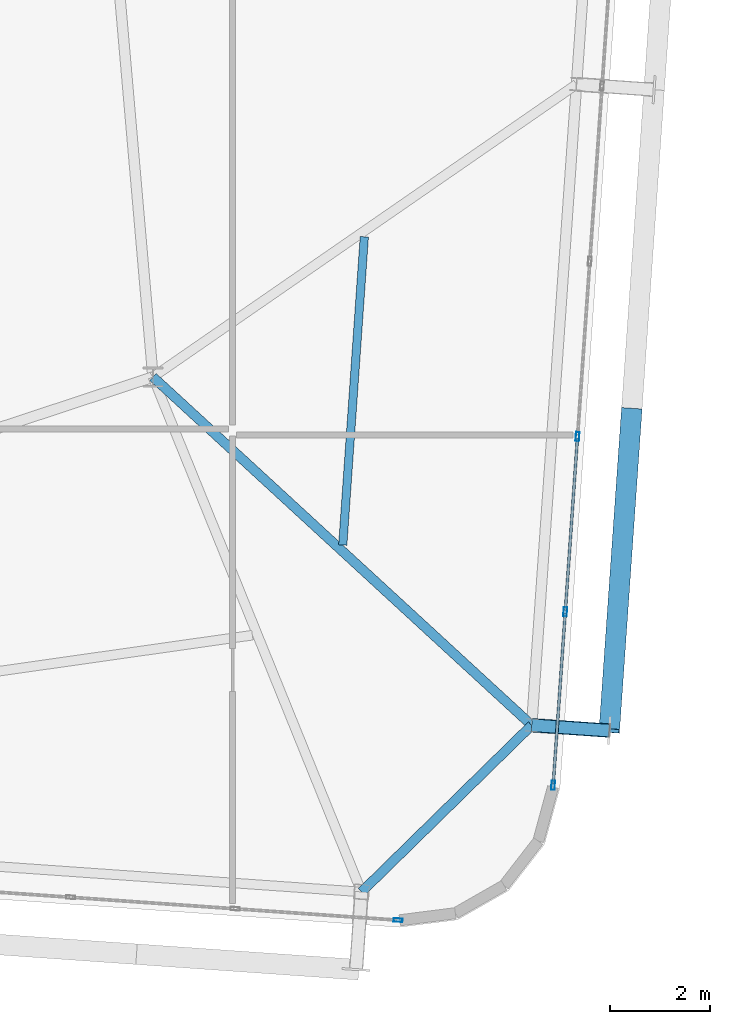
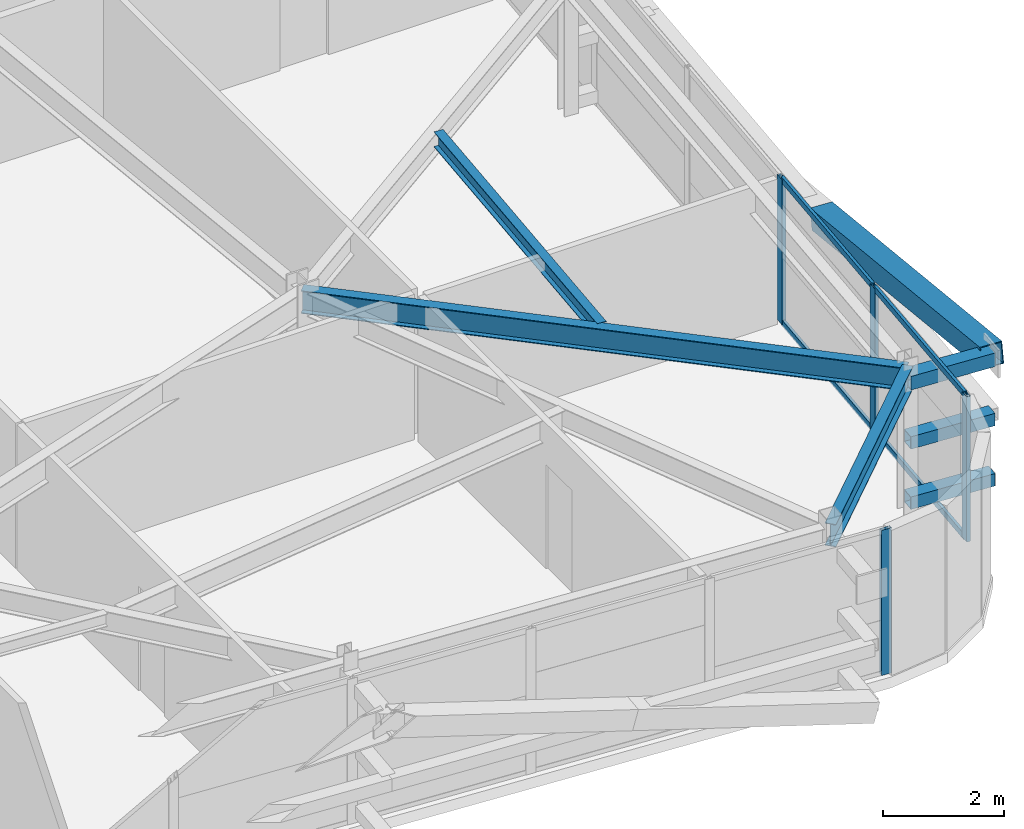
# One storey, part 21 of 47: 12 members, 3 beams, 2 elements without a shape of their own.
"""IFC4 building model written with IfcOpenShell, lengths in metres."""

from ifc_helpers import new_model, si_unit, direction, frame, origin, origin_2d, place, context, subcontext, project, spatial, hollow_rectangle, i_section, extrude, source, transform, mapped, material, layer, layer_set, material_profile, profile_set, type_object, element, aggregate, save


model = new_model("IFC4")

# Units and contexts
model_context = context("Model", 3, precision=1e-05, world=origin(), true_north=direction((0.0, 1.0)))
body_context = subcontext(model_context, "Body", "Model", "MODEL_VIEW")
ifc_project = project(units=[si_unit("LENGTHUNIT", "METRE"), si_unit("AREAUNIT", "SQUARE_METRE"), si_unit("VOLUMEUNIT", "CUBIC_METRE"), si_unit("PLANEANGLEUNIT", "RADIAN"), si_unit("MASSUNIT", "GRAM", prefix="KILO")], contexts=[model_context])

# Site, building, storey
site_placement = place(None, origin())
site = spatial("IfcSite", under=ifc_project, at=site_placement, CompositionType="ELEMENT")
building_placement = place(site_placement, origin())
building = spatial("IfcBuilding", under=site, at=building_placement, Name="Taldren Reach Tower", CompositionType="ELEMENT")
storey_placement = place(building_placement, frame((0.0, 0.0, 142.449951171875)))
storey = spatial("IfcBuildingStorey", under=building, at=storey_placement, Name="L43", CompositionType="ELEMENT", Elevation=142.449951171875)

# Members
ifc_material_1 = material(Name="Steel Gr 450 (C450L0)", Category="steel")
ifc_material_profile_1 = material_profile(ifc_material_1, hollow_rectangle(XDim=0.27490234375, YDim=0.27490234375, WallThickness=0.00927734375, at=origin_2d()), Name="275x275x9.3SHS")
ifc_profile_set_1 = profile_set([ifc_material_profile_1], Name="Steel Gr 450 (C450L0)")
member_type_1 = type_object("IfcMemberType", Name="MB-TIE273", PredefinedType="STRUT", material=ifc_profile_set_1)
shared_shape_1 = source(origin(), body_context, "Body", "SweptSolid", [
    extrude(hollow_rectangle(XDim=0.27490234375, YDim=0.27490234375, WallThickness=0.00927734375, at=origin_2d()), origin(), (0.0, 0.0, 1.0), 1.5498046875),
])
member_1_placement = place(storey_placement, frame((59.54541015625, 5.562744140625, 2.650146484375), z_axis=(0.997573320145, -0.069623781384, 0.0), x_axis=(0.069623781384, 0.997573320145, 0.0)))
element("IfcMember", 1, at=member_1_placement, inside=storey, type_object=member_type_1, Name="Exoskeleton diaphragm tie strut B3-E1 L43", PredefinedType="STRUT", context=body_context, shape_type="MappedRepresentation", body=[
    mapped(shared_shape_1, transform((0.0, 0.0, 0.0), scale=1.0)),
])
ifc_material_2 = material(Name="Steel Gr 350 (C350L0)", Category="steel")
ifc_material_profile_2 = material_profile(ifc_material_2, hollow_rectangle(XDim=0.25, YDim=0.25, WallThickness=0.010009765625, at=origin_2d()), Name="250x250x10.0SHS")
ifc_profile_set_2 = profile_set([ifc_material_profile_2], Name="Steel Gr 350 (C350L0)")
member_type_2 = type_object("IfcMemberType", Name="MB-POST250", PredefinedType="POST", material=ifc_profile_set_2)
shared_shape_2 = source(origin(), body_context, "Body", "SweptSolid", [
    extrude(hollow_rectangle(XDim=0.25, YDim=0.25, WallThickness=0.010009765625, at=origin_2d()), origin(), (0.0, 0.0, 1.0), 1.5498046875),
])
for number, where, z_axis, x_axis, name in (
    (2, (59.54541015625, 5.562744140625, 0.219970703125), (0.997573320145, -0.069623781384, 0.0), (0.069623781384, 0.997573320145, 0.0), "Exoskeleton base diaphragm tie strut B3-E1 L43"),
    (3, (59.54541015625, 5.562744140625, 1.43505859375), (0.997573320145, -0.069623781384, 0.0), (0.069623781384, 0.997573320145, 0.0), "Exoskeleton mid-tier diaphragm tie B3-E1 L43"),
):
    element("IfcMember", number, at=place(storey_placement, frame(where, z_axis=z_axis, x_axis=x_axis)), inside=storey, type_object=member_type_2, Name=name, PredefinedType="POST", context=body_context, shape_type="MappedRepresentation", body=[
        mapped(shared_shape_2, transform((0.0, 0.0, 0.0), scale=1.0)),
    ])

# Beams
ifc_material_3 = material(Name="Steel Gr 350 (350PLUS)", Category="steel")
ifc_material_profile_3 = material_profile(ifc_material_3, i_section(OverallWidth=0.18994140625, OverallDepth=0.4541015625, WebThickness=0.008544921875, FlangeThickness=0.0126953125, at=origin_2d()), Name="460UB67.1")
ifc_profile_set_3 = profile_set([ifc_material_profile_3], Name="Steel Gr 350 (350PLUS)")
beam_type_1 = type_object("IfcBeamType", Name="SP-UB460B", PredefinedType="SPANDREL", material=ifc_profile_set_3)
shared_shape_3 = source(origin(), body_context, "Body", "SweptSolid", [
    extrude(i_section(OverallWidth=0.18994140625, OverallDepth=0.4541015625, WebThickness=0.008544921875, FlangeThickness=0.0126953125, at=origin_2d()), origin(), (0.0, 0.0, 1.0), 4.745849609375),
])
beam_1_placement = place(storey_placement, frame((56.155517578125, 2.2412109375, 2.703125), z_axis=(0.714271982806, 0.699868226581, 0.0), x_axis=(-0.699868226581, 0.714271982806, 0.0)))
element("IfcBeam", 4, at=beam_1_placement, inside=storey, type_object=beam_type_1, Name="Perimeter spandrel B3 S6-E1 L43", PredefinedType="SPANDREL", context=body_context, shape_type="MappedRepresentation", body=[
    mapped(shared_shape_3, transform((0.0, 0.0, 0.0), scale=1.0)),
])
ifc_material_profile_4 = material_profile(ifc_material_3, i_section(OverallWidth=0.19091796875, OverallDepth=0.4599609375, WebThickness=0.010009765625, FlangeThickness=0.01611328125, at=origin_2d()), Name="460UB82.1")
ifc_profile_set_4 = profile_set([ifc_material_profile_4], Name="Steel Gr 350 (350PLUS)")
beam_type_2 = type_object("IfcBeamType", Name="BM-UB460A", PredefinedType="BEAM", material=ifc_profile_set_4)
shared_shape_4 = source(origin(), body_context, "Body", "SweptSolid", [
    extrude(i_section(OverallWidth=0.19091796875, OverallDepth=0.4599609375, WebThickness=0.010009765625, FlangeThickness=0.01611328125, at=origin_2d()), origin(), (0.0, 0.0, 1.0), 10.249755859375),
])
beam_2_placement = place(storey_placement, frame((52.0, 12.5, 2.699951171875), z_axis=(0.736150772628, -0.676817582483, 0.0), x_axis=(0.676817582483, 0.736150772628, 0.0)))
element("IfcBeam", 5, at=beam_2_placement, inside=storey, type_object=beam_type_2, Name="Primary floor girder B3-E1 L43", PredefinedType="BEAM", context=body_context, shape_type="MappedRepresentation", body=[
    mapped(shared_shape_4, transform((0.0, 0.0, 0.0), scale=1.0)),
])
ifc_material_4 = material(Name="Steel Gr 300 (300PLUS, 300 MPa)", Category="steel")
ifc_material_profile_5 = material_profile(ifc_material_4, i_section(OverallWidth=0.166015625, OverallDepth=0.306884765625, WebThickness=0.006591796875, FlangeThickness=0.01171875, at=origin_2d()), Name="310UB46.2")
ifc_profile_set_5 = profile_set([ifc_material_profile_5], Name="Steel Gr 300 (300PLUS, 300 MPa)")
beam_type_3 = type_object("IfcBeamType", Name="JS-UB310", PredefinedType="JOIST", material=ifc_profile_set_5)
shared_shape_5 = source(origin(), body_context, "Body", "SweptSolid", [
    extrude(i_section(OverallWidth=0.166015625, OverallDepth=0.306884765625, WebThickness=0.006591796875, FlangeThickness=0.01171875, at=origin_2d()), origin(), (0.0, 0.0, 1.0), 6.155517578125),
])
beam_3_placement = place(storey_placement, frame((55.78125, 9.1533203125, 2.776611328125), z_axis=(0.069764400024, 0.997563495969, 0.0), x_axis=(-0.997563495969, 0.069764400024, 0.0)))
element("IfcBeam", 6, at=beam_3_placement, inside=storey, type_object=beam_type_3, Name="Secondary floor joist B3 J7 L43", PredefinedType="JOIST", context=body_context, shape_type="MappedRepresentation", body=[
    mapped(shared_shape_5, transform((0.0, 0.0, 0.0), scale=1.0)),
])

# Member
ifc_material_profile_6 = material_profile(ifc_material_1, hollow_rectangle(XDim=0.409912109375, YDim=0.409912109375, WallThickness=0.01611328125, at=origin_2d()), Name="410x410x16.0SHS")
ifc_profile_set_6 = profile_set([ifc_material_profile_6], Name="Steel Gr 450 (C450L0)")
member_type_3 = type_object("IfcMemberType", Name="MB-EXO406", PredefinedType="BRACE", material=ifc_profile_set_6)
shared_shape_6 = source(origin(), body_context, "Body", "SweptSolid", [
    extrude(hollow_rectangle(XDim=0.409912109375, YDim=0.409912109375, WallThickness=0.01611328125, at=origin_2d()), origin(), (0.0, 0.0, 1.0), 6.51416015625),
])
member_2_placement = place(storey_placement, frame((61.5380859375, 11.839111328125, 1.43505859375), z_axis=(-0.068547644544, -0.980055169399, 0.186529046964), x_axis=(0.997562951496, -0.069772185021, 0.0)))
element("IfcMember", 7, at=member_2_placement, inside=storey, type_object=member_type_3, Name="Exoskeleton Diagrid Brace B3-E1 L43", PredefinedType="BRACE", context=body_context, shape_type="MappedRepresentation", body=[
    mapped(shared_shape_6, transform((0.0, 0.0, 0.0), scale=1.0)),
])

# Curtain wall, member
ifc_material_5 = material(Name="Aluminium and Low-E Glass Unitised System", Category="aluminium")
ifc_layer = layer(ifc_material_5, 0.159912109375)
ifc_layer_set = layer_set([ifc_layer], Name="Aluminium and Low-E Glass Unitised System")
curtain_wall_type = type_object("IfcCurtainWallType", Name="CW-SYS-4", PredefinedType="NOTDEFINED", material=ifc_layer_set)
curtain_wall_1_placement = place(storey_placement, origin())
curtain_wall_1 = element("IfcCurtainWall", 8, at=curtain_wall_1_placement, inside=storey, type_object=curtain_wall_type, Name="Unitised curtain wall CW-L43-S", PredefinedType="NOTDEFINED")
ifc_material_6 = material(Name="Anodised Aluminium 6063-T6", Category="aluminium")
ifc_material_profile_7 = material_profile(ifc_material_6, hollow_rectangle(XDim=0.070068359375, YDim=0.179931640625, WallThickness=0.00390625, at=origin_2d()), Name="ALU-180x70x4RHS")
ifc_profile_set_7 = profile_set([ifc_material_profile_7], Name="Anodised Aluminium 6063-T6")
member_type_4 = type_object("IfcMemberType", Name="CW-MUL-180", PredefinedType="MULLION", material=ifc_profile_set_7)
shared_shape_7 = source(origin(), body_context, "Body", "SweptSolid", [
    extrude(hollow_rectangle(XDim=0.070068359375, YDim=0.179931640625, WallThickness=0.00390625, at=origin_2d()), origin(), (0.0, 0.0, 1.0), 2.929931640625),
])
member_3_placement = place(storey_placement, frame((56.883056640625, 1.67919921875, 0.0), z_axis=(0.0, 0.0, 1.0), x_axis=(0.06975651593, 0.99756404731, 0.0)))
member_3 = element("IfcMember", 9, at=member_3_placement, type_object=member_type_4, Name="CW-4 mullion 15", PredefinedType="MULLION", context=body_context, shape_type="MappedRepresentation", body=[
    mapped(shared_shape_7, transform((0.0, 0.0, 0.0), scale=1.0)),
])
aggregate(curtain_wall_1, [member_3])

# Curtain wall, members
curtain_wall_2_placement = place(storey_placement, origin())
curtain_wall_2 = element("IfcCurtainWall", 10, at=curtain_wall_2_placement, inside=storey, type_object=curtain_wall_type, Name="Unitised curtain wall CW-L43-E", PredefinedType="NOTDEFINED")
member_4_placement = place(storey_placement, frame((59.972900390625, 4.365234375, 0.0), z_axis=(0.0, 0.0, 1.0), x_axis=(-0.997564052812, 0.069756437251, 0.0)))
member_4 = element("IfcMember", 11, at=member_4_placement, type_object=member_type_4, Name="CW-4 mullion 1", PredefinedType="MULLION", context=body_context, shape_type="MappedRepresentation", body=[
    mapped(shared_shape_7, transform((0.0, 0.0, 0.0), scale=1.0)),
])
member_5_placement = place(storey_placement, frame((60.214599609375, 7.82177734375, 0.0), z_axis=(0.0, 0.0, 1.0), x_axis=(-0.997564052812, 0.069756437251, 0.0)))
member_5 = element("IfcMember", 12, at=member_5_placement, type_object=member_type_4, Name="CW-4 mullion 2", PredefinedType="MULLION", context=body_context, shape_type="MappedRepresentation", body=[
    mapped(shared_shape_7, transform((0.0, 0.0, 0.0), scale=1.0)),
])
member_6_placement = place(storey_placement, frame((60.458740234375, 11.313232421875, 0.0), z_axis=(0.0, 0.0, 1.0), x_axis=(-0.997564052812, 0.069756437251, 0.0)))
member_6 = element("IfcMember", 13, at=member_6_placement, type_object=member_type_4, Name="CW-4 mullion 3", PredefinedType="MULLION", context=body_context, shape_type="MappedRepresentation", body=[
    mapped(shared_shape_7, transform((0.0, 0.0, 0.0), scale=1.0)),
])
ifc_material_profile_8 = material_profile(ifc_material_6, hollow_rectangle(XDim=0.054931640625, YDim=0.1201171875, WallThickness=0.0029296875, at=origin_2d()), Name="ALU-120x55x3RHS")
ifc_profile_set_8 = profile_set([ifc_material_profile_8], Name="Anodised Aluminium 6063-T6")
member_type_5 = type_object("IfcMemberType", Name="CW-TRN-135", PredefinedType="USERDEFINED", material=ifc_profile_set_8)
shared_shape_8 = source(origin(), body_context, "Body", "SweptSolid", [
    extrude(hollow_rectangle(XDim=0.054931640625, YDim=0.1201171875, WallThickness=0.0029296875, at=origin_2d()), origin(), (0.0, 0.0, 1.0), 3.39501953125),
])
member_7_placement = place(storey_placement, frame((59.975341796875, 4.400146484375, 0.027587890625), z_axis=(0.069754703634, 0.997564174036, 0.0), x_axis=(-0.997564174036, 0.069754703634, 0.0)))
member_7 = element("IfcMember", 14, at=member_7_placement, type_object=member_type_5, Name="CW-4 transom 1.1", ObjectType="TRANSOM", PredefinedType="USERDEFINED", context=body_context, shape_type="MappedRepresentation", body=[
    mapped(shared_shape_8, transform((0.0, 0.0, 0.0), scale=1.0)),
])
member_8_placement = place(storey_placement, frame((59.975341796875, 4.400146484375, 2.902587890625), z_axis=(0.069754703634, 0.997564174036, 0.0), x_axis=(-0.997564174036, 0.069754703634, 0.0)))
member_8 = element("IfcMember", 15, at=member_8_placement, type_object=member_type_5, Name="CW-4 transom 1.2", ObjectType="TRANSOM", PredefinedType="USERDEFINED", context=body_context, shape_type="MappedRepresentation", body=[
    mapped(shared_shape_8, transform((0.0, 0.0, 0.0), scale=1.0)),
])
shared_shape_9 = source(origin(), body_context, "Body", "SweptSolid", [
    extrude(hollow_rectangle(XDim=0.054931640625, YDim=0.1201171875, WallThickness=0.0029296875, at=origin_2d()), origin(), (0.0, 0.0, 1.0), 3.429931640625),
])
member_9_placement = place(storey_placement, frame((60.217041015625, 7.856689453125, 0.027587890625), z_axis=(0.069754754695, 0.997564170466, 0.0), x_axis=(-0.997564170466, 0.069754754695, 0.0)))
member_9 = element("IfcMember", 16, at=member_9_placement, type_object=member_type_5, Name="CW-4 transom 2.1", ObjectType="TRANSOM", PredefinedType="USERDEFINED", context=body_context, shape_type="MappedRepresentation", body=[
    mapped(shared_shape_9, transform((0.0, 0.0, 0.0), scale=1.0)),
])
member_10_placement = place(storey_placement, frame((60.217041015625, 7.856689453125, 2.902587890625), z_axis=(0.069754754695, 0.997564170466, 0.0), x_axis=(-0.997564170466, 0.069754754695, 0.0)))
member_10 = element("IfcMember", 17, at=member_10_placement, type_object=member_type_5, Name="CW-4 transom 2.2", ObjectType="TRANSOM", PredefinedType="USERDEFINED", context=body_context, shape_type="MappedRepresentation", body=[
    mapped(shared_shape_9, transform((0.0, 0.0, 0.0), scale=1.0)),
])
aggregate(curtain_wall_2, [member_4, member_5, member_6, member_7, member_8, member_9, member_10])

save(model, "model.ifc")
